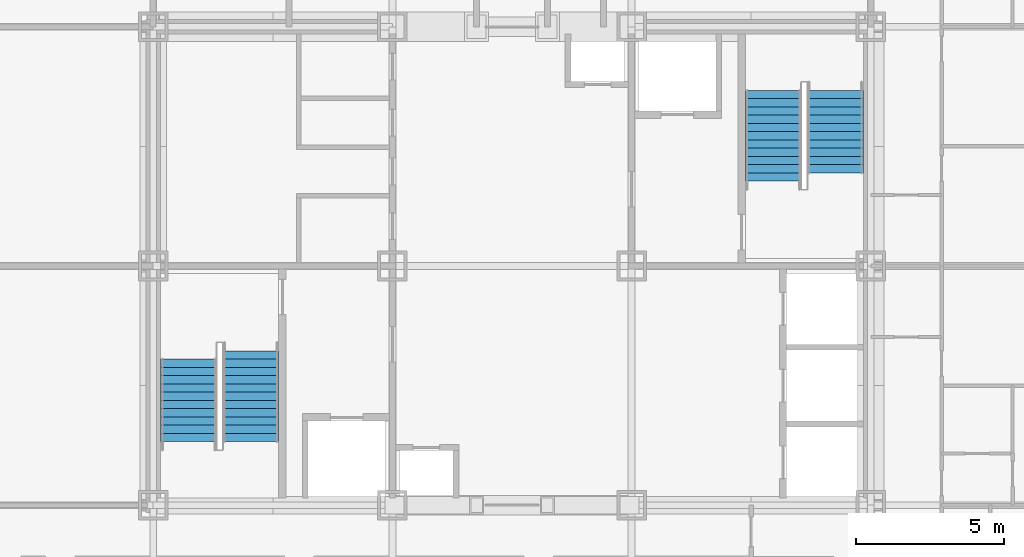
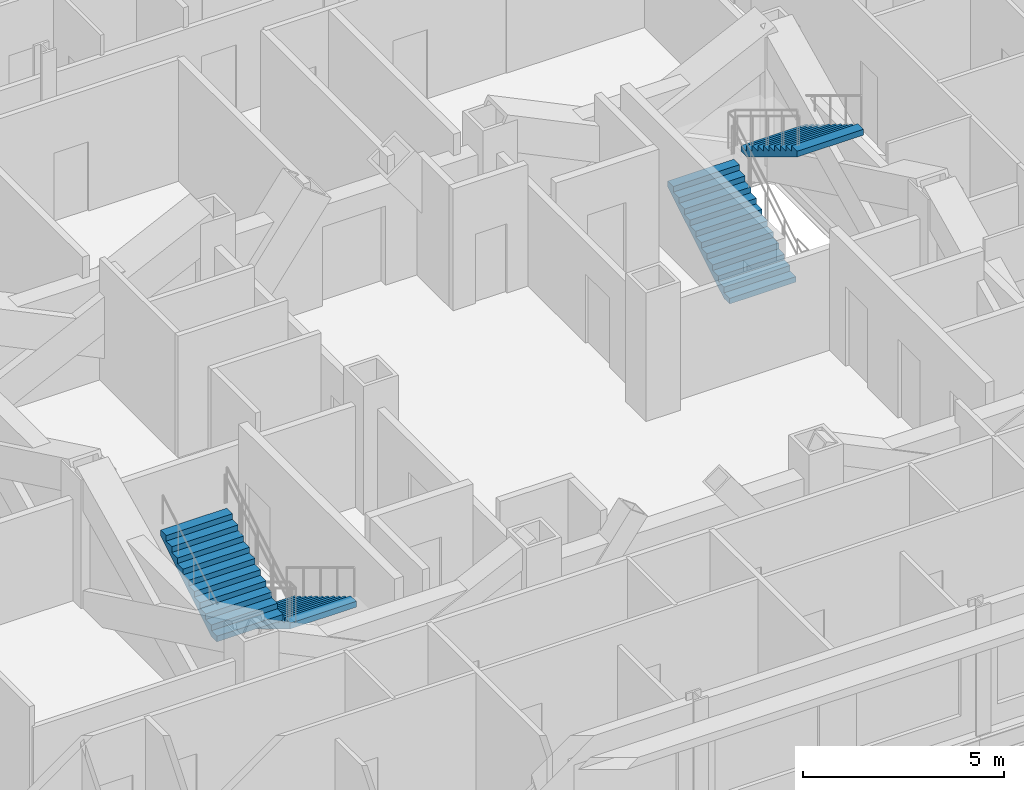
# One storey, part 15 of 16: 4 stair flights, 2 elements without a shape of their own.
"""IFC4 building model written with IfcOpenShell, lengths in metres."""

import ifcopenshell
import ifcopenshell.guid

model = None  # the IFC model being written
_history = None  # IfcOwnerHistory: only IFC2X3 demands one
_inside = {}  # id of a spatial element -> (the spatial element, [elements in it])
_under = {}  # id of a project, library or spatial element -> (it, [spatial elements below it])
_declared = {}  # id of a project -> (the project, [libraries it declares])
_typed = {}  # id of a type object -> (the type object, [elements of that type])
_made_of = {}  # id of a material, layer set ... -> (it, [elements and type objects made of it])


def new_model(schema):
    """Start an empty IFC model of exactly this schema.

    Asked for "IFC4X3", IfcOpenShell would pick the latest addendum, in which some entities
    have other attributes; the version numbers below select the first issue.
    IFC2X3 requires an IfcOwnerHistory on every rooted entity: one is made here for all.
    """
    global model, _history
    if schema == "IFC4X3":
        model = ifcopenshell.file(schema_version=(4, 3, 0, 0))
    else:
        model = ifcopenshell.file(schema=schema)
    _inside.clear()
    _under.clear()
    _declared.clear()
    _typed.clear()
    _made_of.clear()
    _history = None
    if model.schema == "IFC2X3":
        org = make("IfcOrganization", Name="unknown")
        user = make(
            "IfcPersonAndOrganization",
            ThePerson=make("IfcPerson", FamilyName="unknown"),
            TheOrganization=org,
        )
        app = make(
            "IfcApplication",
            ApplicationDeveloper=org,
            Version="unknown",
            ApplicationFullName="unknown",
            ApplicationIdentifier="unknown",
        )
        _history = make(
            "IfcOwnerHistory",
            OwningUser=user,
            OwningApplication=app,
            ChangeAction="ADDED",
            CreationDate=0,
        )
    return model


def make(cls, **values):
    """One entity of the class cls with the attributes given. An attribute that is None is left unset."""
    return model.create_entity(
        cls, **{name: value for name, value in values.items() if value is not None}
    )


def rooted(cls, **values):
    """An entity with a GlobalId (a new one), such as an element, a storey or a relation."""
    return make(cls, GlobalId=ifcopenshell.guid.new(), OwnerHistory=_history, **values)


def si_unit(unit_type, name, prefix=None):
    """IfcSIUnit, for example si_unit("LENGTHUNIT", "METRE", prefix="MILLI")."""
    return make("IfcSIUnit", UnitType=unit_type, Prefix=prefix, Name=name)


def assignment(units):
    """IfcUnitAssignment: the units of a project."""
    return None if units is None else make("IfcUnitAssignment", Units=units)


def point(xyz):
    """IfcCartesianPoint."""
    return None if xyz is None else make("IfcCartesianPoint", Coordinates=xyz)


def direction(xyz):
    """IfcDirection."""
    return None if xyz is None else make("IfcDirection", DirectionRatios=xyz)


def frame(location, z_axis=None, x_axis=None):
    """IfcAxis2Placement3D, a coordinate frame: its origin and axes. An axis left out is left unset."""
    return make(
        "IfcAxis2Placement3D",
        Location=point(location),
        Axis=direction(z_axis),
        RefDirection=direction(x_axis),
    )


def origin():
    """The frame at (0, 0, 0) with its axes left unset."""
    return frame((0.0, 0.0, 0.0))


def place(relative_to, where):
    """IfcLocalPlacement: puts the frame where relative to a parent placement (None: the world)."""
    return make(
        "IfcLocalPlacement", PlacementRelTo=relative_to, RelativePlacement=where
    )


def context(
    kind, dimensions, precision=None, world=None, true_north=None, identifier=None
):
    """IfcGeometricRepresentationContext, for example the 3D "Model" context."""
    return make(
        "IfcGeometricRepresentationContext",
        ContextIdentifier=identifier,
        ContextType=kind,
        CoordinateSpaceDimension=dimensions,
        Precision=precision,
        WorldCoordinateSystem=world,
        TrueNorth=true_north,
    )


def subcontext(parent, identifier, kind, view, scale=None):
    """IfcGeometricRepresentationSubContext, for example "Body" below "Model"."""
    return make(
        "IfcGeometricRepresentationSubContext",
        ContextIdentifier=identifier,
        ContextType=kind,
        ParentContext=parent,
        TargetScale=scale,
        TargetView=view,
    )


def project(units=None, contexts=None):
    """IfcProject with its units and contexts."""
    return rooted(
        "IfcProject",
        Name="project",
        RepresentationContexts=contexts,
        UnitsInContext=assignment(units),
    )


def spatial(cls, under=None, at=None, **own):
    """A site, building, storey or space (cls), placed at a placement, below another one or the project."""
    s = rooted(cls, ObjectPlacement=at, **own)
    if under is not None:
        _under.setdefault(under.id(), (under, []))[1].append(s)
    return s


def point_list(points):
    """IfcCartesianPointList2D or 3D."""
    cls = (
        "IfcCartesianPointList2D" if len(points[0]) == 2 else "IfcCartesianPointList3D"
    )
    return make(cls, CoordList=points)


def polygons(points, faces, closed=None, point_numbers=None):
    """IfcPolygonalFaceSet: a face is its outer loop, then its inner loops; points numbered from 1."""
    made = []
    for loops in faces:
        if len(loops) == 1:
            made.append(make("IfcIndexedPolygonalFace", CoordIndex=loops[0]))
        else:
            made.append(
                make(
                    "IfcIndexedPolygonalFaceWithVoids",
                    CoordIndex=loops[0],
                    InnerCoordIndices=loops[1:],
                )
            )
    return make(
        "IfcPolygonalFaceSet",
        Coordinates=point_list(points),
        Closed=closed,
        Faces=made,
        PnIndex=point_numbers,
    )


def shape(context_of_items, identifier, shape_type, items):
    """IfcShapeRepresentation: the items that make up one representation, for example the "Body"."""
    return make(
        "IfcShapeRepresentation",
        ContextOfItems=context_of_items,
        RepresentationIdentifier=identifier,
        RepresentationType=shape_type,
        Items=items,
    )


def source(mapping_origin, context_of_items, identifier, shape_type, items):
    """IfcRepresentationMap: a shape defined once, which mapped items show again and again."""
    return make(
        "IfcRepresentationMap",
        MappingOrigin=mapping_origin,
        MappedRepresentation=shape(context_of_items, identifier, shape_type, items),
    )


def transform(
    local_origin,
    x_axis=None,
    y_axis=None,
    z_axis=None,
    scale=None,
    scale2=None,
    scale3=None,
    uniform=True,
):
    """IfcCartesianTransformationOperator3D, or its non-uniform kind. x_axis, y_axis, z_axis: its Axis1, 2, 3."""
    if uniform:
        return make(
            "IfcCartesianTransformationOperator3D",
            Axis1=direction(x_axis),
            Axis2=direction(y_axis),
            LocalOrigin=point(local_origin),
            Scale=scale,
            Axis3=direction(z_axis),
        )
    return make(
        "IfcCartesianTransformationOperator3DnonUniform",
        Axis1=direction(x_axis),
        Axis2=direction(y_axis),
        LocalOrigin=point(local_origin),
        Scale=scale,
        Axis3=direction(z_axis),
        Scale2=scale2,
        Scale3=scale3,
    )


def mapped(mapping_source, mapping_target):
    """IfcMappedItem: shows the shape of a source again, moved by a transform."""
    return make(
        "IfcMappedItem", MappingSource=mapping_source, MappingTarget=mapping_target
    )


def material(Name=None, Category=None):
    """IfcMaterial."""
    return make("IfcMaterial", Name=Name, Category=Category)


def made_of(thing, what):
    """Note that an element or type object is made of a material, layer set ...; save() writes the relation."""
    if what is not None:
        _made_of.setdefault(what.id(), (what, []))[1].append(thing)
    return thing


def type_object(cls, material=None, **own):
    """A type object (cls), such as IfcWallType, which elements share."""
    return made_of(rooted(cls, **own), material)


def element(
    cls,
    number,
    at=None,
    inside=None,
    cuts=None,
    type_object=None,
    material=None,
    context=None,
    identifier="Body",
    shape_type=None,
    held_by="IfcProductDefinitionShape",
    body=None,
    shapes=None,
    **own,
):
    """One element of the class cls, such as IfcWall. Its Tag is "e" and its number.

    at: its placement. inside: the storey or other place that contains it. cuts: it is an
    opening in that element (IfcRelVoidsElement). A single representation is given by context,
    identifier, shape_type and body (its items); several are given by shapes. held_by: the class
    of the entity that holds the representations. save() writes the other relations.
    """
    e = rooted(cls, Tag="e%d" % number, ObjectPlacement=at, **own)
    if body is not None:
        shapes = [shape(context, identifier, shape_type, body)]
    if shapes is not None:
        e.Representation = make(held_by, Representations=shapes)
    if inside is not None:
        _inside.setdefault(inside.id(), (inside, []))[1].append(e)
    if cuts is not None:
        rooted(
            "IfcRelVoidsElement", RelatingBuildingElement=cuts, RelatedOpeningElement=e
        )
    if type_object is not None:
        _typed.setdefault(type_object.id(), (type_object, []))[1].append(e)
    return made_of(e, material)


def aggregate(whole, parts):
    """IfcRelAggregates: a whole, such as a stair, and the parts it consists of."""
    return rooted("IfcRelAggregates", RelatingObject=whole, RelatedObjects=parts)


def save(model, path):
    """Write the relations noted so far, then the file.

    IfcRelAggregates (storeys below a building ...), IfcRelContainedInSpatialStructure (elements
    in a storey), IfcRelDefinesByType, IfcRelAssociatesMaterial and IfcRelDeclares: one each for
    every whole, place, type object, material and project.
    """
    for whole, parts in _under.values():
        aggregate(whole, parts)
    for where, things in _inside.values():
        rooted(
            "IfcRelContainedInSpatialStructure",
            RelatedElements=things,
            RelatingStructure=where,
        )
    for kind, things in _typed.values():
        rooted("IfcRelDefinesByType", RelatedObjects=things, RelatingType=kind)
    for what, things in _made_of.values():
        rooted("IfcRelAssociatesMaterial", RelatedObjects=things, RelatingMaterial=what)
    for by, libraries in _declared.values():
        rooted("IfcRelDeclares", RelatingContext=by, RelatedDefinitions=libraries)
    model.write(path)


model = new_model("IFC4")

# Units and contexts
model_context = context("Model", 3, precision=1e-05, world=origin(), true_north=direction((0.0, 1.0)))
body_context = subcontext(model_context, "Body", "Model", "MODEL_VIEW")
ifc_project = project(units=[si_unit("LENGTHUNIT", "METRE"), si_unit("AREAUNIT", "SQUARE_METRE"), si_unit("VOLUMEUNIT", "CUBIC_METRE"), si_unit("PLANEANGLEUNIT", "RADIAN"), si_unit("MASSUNIT", "GRAM", prefix="KILO")], contexts=[model_context])

# Site, building, storey
site_placement = place(None, origin())
site = spatial("IfcSite", under=ifc_project, at=site_placement, CompositionType="ELEMENT")
building_placement = place(site_placement, origin())
building = spatial("IfcBuilding", under=site, at=building_placement, Name="Kopane Lantern Tower", CompositionType="ELEMENT")
storey_placement = place(building_placement, frame((0.0, 0.0, 265.800048828125)))
storey = spatial("IfcBuildingStorey", under=building, at=storey_placement, Name="L68", CompositionType="ELEMENT", Elevation=265.800048828125)

# Stair, stair flight
ifc_material_1 = material(Name="Steel S355JR", Category="steel")
stair_type = type_object("IfcStairType", Name="EXIT STAIR 1900 HALF TURN", PredefinedType="HALF_TURN_STAIR", material=ifc_material_1)
stair_1_placement = place(storey_placement, origin())
stair_1 = element("IfcStair", 1, at=stair_1_placement, inside=storey, type_object=stair_type, Name="Exit stair ST1 L68", PredefinedType="HALF_TURN_STAIR")
ifc_material_2 = material(Name="Steel S355JR", Category="steel")
stair_flight_type = type_object("IfcStairFlightType", Name="STAIR FLIGHT 1900 STEEL", PredefinedType="STRAIGHT", material=ifc_material_2)
shared_shape_1 = source(origin(), body_context, "Body", "Tessellation", [
    polygons([(3.080078125, 0.949951172, 1.865234375), (2.800048828, 0.949951172, 1.865234375), (2.800048828, -0.949951172, 1.865234375), (3.080078125, -0.949951172, 1.865234375), (0.289306641, 0.949951172, 0.0), (3.080078125, 0.949951172, 1.689941406), (3.080078125, -0.949951172, 1.689941406), (0.289306641, -0.949951172, 0.0), (0.0, 0.949951172, 0.0), (0.0, -0.949951172, 0.0), (0.280029297, 0.949951172, 0.169677734), (0.0, 0.949951172, 0.169677734), (0.0, -0.949951172, 0.169677734), (0.280029297, -0.949951172, 0.169677734), (0.280029297, 0.949951172, 0.339111328), (0.280029297, -0.949951172, 0.339111328), (0.560058594, 0.949951172, 0.339111328), (0.560058594, -0.949951172, 0.339111328), (0.560058594, 0.949951172, 0.508789062), (0.560058594, -0.949951172, 0.508789062), (0.840087891, 0.949951172, 0.508789062), (0.840087891, -0.949951172, 0.508789062), (0.840087891, 0.949951172, 0.678222656), (0.840087891, -0.949951172, 0.678222656), (1.120117188, 0.949951172, 0.678222656), (1.120117188, -0.949951172, 0.678222656), (1.120117188, 0.949951172, 0.847900391), (1.120117188, -0.949951172, 0.847900391), (1.399902344, 0.949951172, 0.847900391), (1.399902344, -0.949951172, 0.847900391), (1.399902344, 0.949951172, 1.017333984), (1.399902344, -0.949951172, 1.017333984), (1.679931641, 0.949951172, 1.017333984), (1.679931641, -0.949951172, 1.017333984), (1.679931641, 0.949951172, 1.187011719), (1.679931641, -0.949951172, 1.187011719), (1.959960938, 0.949951172, 1.187011719), (1.959960938, -0.949951172, 1.187011719), (1.959960938, 0.949951172, 1.356445312), (1.959960938, -0.949951172, 1.356445312), (2.239990234, 0.949951172, 1.356445312), (2.239990234, -0.949951172, 1.356445312), (2.239990234, 0.949951172, 1.526123047), (2.239990234, -0.949951172, 1.526123047), (2.520019531, 0.949951172, 1.526123047), (2.520019531, -0.949951172, 1.526123047), (2.520019531, 0.949951172, 1.695556641), (2.520019531, -0.949951172, 1.695556641), (2.800048828, 0.949951172, 1.695556641), (2.800048828, -0.949951172, 1.695556641), (0.0, 0.0, 0.004585885), (0.0, 0.0, 0.009171769), (0.0, 0.0, 0.013757654), (0.0, 0.0, 0.018343539), (0.0, 0.0, 0.022929424), (0.0, 0.0, 0.027515308), (0.0, 0.0, 0.032101193), (0.0, 0.0, 0.036687078), (0.0, 0.0, 0.041272962), (0.0, 0.0, 0.045858847), (0.0, 0.0, 0.050444732), (0.0, 0.0, 0.055030617), (0.0, 0.0, 0.059616501), (0.0, 0.0, 0.064202386), (0.0, 0.0, 0.068788271), (0.0, 0.0, 0.073374155), (0.0, 0.0, 0.07796004), (0.0, 0.0, 0.082545925), (0.0, 0.0, 0.08713181), (0.0, 0.0, 0.091717694), (0.0, 0.0, 0.096303579), (0.0, 0.0, 0.100889464), (0.0, 0.0, 0.105475348), (0.0, 0.0, 0.110061233), (0.0, 0.0, 0.114647118), (0.0, 0.0, 0.119233003), (0.0, 0.0, 0.123818887), (0.0, 0.0, 0.128404772), (0.0, 0.0, 0.132990657), (0.0, 0.0, 0.137576541), (0.0, 0.0, 0.142162426), (0.0, 0.0, 0.146748311), (0.0, 0.0, 0.151334196), (0.0, 0.0, 0.15592008), (0.0, 0.0, 0.160505965), (0.0, 0.0, 0.16509185), (3.080078125, 0.0, 1.694679054), (3.080078125, 0.0, 1.699416702), (3.080078125, 0.0, 1.70415435), (3.080078125, 0.0, 1.708891997), (3.080078125, 0.0, 1.713629645), (3.080078125, 0.0, 1.718367293), (3.080078125, 0.0, 1.723104941), (3.080078125, 0.0, 1.727842589), (3.080078125, 0.0, 1.732580236), (3.080078125, 0.0, 1.737317884), (3.080078125, 0.0, 1.742055532), (3.080078125, 0.0, 1.74679318), (3.080078125, 0.0, 1.751530828), (3.080078125, 0.0, 1.756268476), (3.080078125, 0.0, 1.761006123), (3.080078125, 0.0, 1.765743771), (3.080078125, 0.0, 1.770481419), (3.080078125, 0.0, 1.775219067), (3.080078125, 0.0, 1.779956715), (3.080078125, 0.0, 1.784694362), (3.080078125, 0.0, 1.78943201), (3.080078125, 0.0, 1.794169658), (3.080078125, 0.0, 1.798907306), (3.080078125, 0.0, 1.803644954), (3.080078125, 0.0, 1.808382601), (3.080078125, 0.0, 1.813120249), (3.080078125, 0.0, 1.817857897), (3.080078125, 0.0, 1.822595545), (3.080078125, 0.0, 1.827333193), (3.080078125, 0.0, 1.83207084), (3.080078125, 0.0, 1.836808488), (3.080078125, 0.0, 1.841546136), (3.080078125, 0.0, 1.846283784), (3.080078125, 0.0, 1.851021432), (3.080078125, 0.0, 1.855759079), (3.080078125, 0.0, 1.860496727)], [[[1, 2, 3]], [[1, 3, 4]], [[5, 6, 7]], [[5, 7, 8]], [[9, 5, 8]], [[9, 8, 10]], [[11, 12, 13]], [[11, 13, 14]], [[15, 11, 14]], [[15, 14, 16]], [[17, 15, 16]], [[17, 16, 18]], [[19, 17, 18]], [[19, 18, 20]], [[21, 19, 20]], [[21, 20, 22]], [[23, 21, 22]], [[23, 22, 24]], [[25, 23, 24]], [[25, 24, 26]], [[27, 25, 26]], [[27, 26, 28]], [[29, 27, 28]], [[29, 28, 30]], [[31, 29, 30]], [[31, 30, 32]], [[33, 31, 32]], [[33, 32, 34]], [[35, 33, 34]], [[35, 34, 36]], [[37, 35, 36]], [[37, 36, 38]], [[39, 37, 38]], [[39, 38, 40]], [[41, 39, 40]], [[41, 40, 42]], [[43, 41, 42]], [[43, 42, 44]], [[45, 43, 44]], [[45, 44, 46]], [[47, 45, 46]], [[47, 46, 48]], [[49, 47, 48]], [[49, 48, 50]], [[2, 49, 50]], [[2, 50, 3]], [[49, 1, 6]], [[45, 49, 6]], [[2, 1, 49]], [[41, 45, 6]], [[47, 49, 45]], [[37, 41, 6]], [[43, 45, 41]], [[39, 41, 37]], [[35, 37, 33]], [[31, 33, 29]], [[5, 21, 25]], [[27, 29, 25]], [[17, 21, 5]], [[23, 25, 21]], [[11, 17, 5]], [[19, 21, 17]], [[9, 11, 5]], [[15, 17, 11]], [[12, 11, 9]], [[6, 5, 25]], [[6, 25, 29]], [[6, 29, 33]], [[6, 33, 37]], [[7, 4, 50]], [[7, 50, 46]], [[50, 4, 3]], [[7, 46, 42]], [[46, 50, 48]], [[7, 42, 38]], [[42, 46, 44]], [[38, 42, 40]], [[34, 38, 36]], [[30, 34, 32]], [[26, 22, 8]], [[26, 30, 28]], [[8, 22, 18]], [[22, 26, 24]], [[8, 18, 14]], [[18, 22, 20]], [[8, 14, 10]], [[14, 18, 16]], [[10, 14, 13]], [[26, 8, 7]], [[30, 26, 7]], [[34, 30, 7]], [[38, 34, 7]], [[10, 51, 9]], [[10, 52, 51]], [[9, 51, 52]], [[10, 53, 52]], [[9, 52, 53]], [[10, 54, 53]], [[9, 53, 54]], [[10, 55, 54]], [[9, 54, 55]], [[10, 56, 55]], [[9, 55, 56]], [[10, 57, 56]], [[9, 56, 57]], [[10, 58, 57]], [[9, 57, 58]], [[10, 59, 58]], [[9, 58, 59]], [[10, 60, 59]], [[9, 59, 60]], [[10, 61, 60]], [[9, 60, 61]], [[10, 62, 61]], [[9, 61, 62]], [[10, 63, 62]], [[9, 62, 63]], [[10, 64, 63]], [[9, 63, 64]], [[10, 65, 64]], [[9, 64, 65]], [[10, 66, 65]], [[9, 65, 66]], [[10, 67, 66]], [[9, 66, 67]], [[10, 68, 67]], [[9, 67, 68]], [[10, 69, 68]], [[9, 68, 69]], [[10, 70, 69]], [[9, 69, 70]], [[10, 71, 70]], [[9, 70, 71]], [[10, 72, 71]], [[9, 71, 72]], [[10, 73, 72]], [[9, 72, 73]], [[10, 74, 73]], [[9, 73, 74]], [[10, 75, 74]], [[9, 74, 75]], [[10, 76, 75]], [[9, 75, 76]], [[10, 77, 76]], [[9, 76, 77]], [[10, 78, 77]], [[9, 77, 78]], [[10, 79, 78]], [[9, 78, 79]], [[10, 80, 79]], [[9, 79, 80]], [[10, 81, 80]], [[9, 80, 81]], [[10, 82, 81]], [[9, 81, 82]], [[10, 83, 82]], [[9, 82, 83]], [[10, 84, 83]], [[9, 83, 84]], [[10, 85, 84]], [[9, 84, 85]], [[10, 86, 85]], [[9, 85, 86]], [[10, 13, 86]], [[86, 13, 12]], [[9, 86, 12]], [[7, 6, 87]], [[7, 87, 88]], [[6, 88, 87]], [[7, 88, 89]], [[6, 89, 88]], [[7, 89, 90]], [[6, 90, 89]], [[7, 90, 91]], [[6, 91, 90]], [[7, 91, 92]], [[6, 92, 91]], [[7, 92, 93]], [[6, 93, 92]], [[7, 93, 94]], [[6, 94, 93]], [[7, 94, 95]], [[6, 95, 94]], [[7, 95, 96]], [[6, 96, 95]], [[7, 96, 97]], [[6, 97, 96]], [[7, 97, 98]], [[6, 98, 97]], [[7, 98, 99]], [[6, 99, 98]], [[7, 99, 100]], [[6, 100, 99]], [[7, 100, 101]], [[6, 101, 100]], [[7, 101, 102]], [[6, 102, 101]], [[7, 102, 103]], [[6, 103, 102]], [[7, 103, 104]], [[6, 104, 103]], [[7, 104, 105]], [[6, 105, 104]], [[7, 105, 106]], [[6, 106, 105]], [[7, 106, 107]], [[6, 107, 106]], [[7, 107, 108]], [[6, 108, 107]], [[7, 108, 109]], [[6, 109, 108]], [[7, 109, 110]], [[6, 110, 109]], [[7, 110, 111]], [[6, 111, 110]], [[7, 111, 112]], [[6, 112, 111]], [[7, 112, 113]], [[6, 113, 112]], [[7, 113, 114]], [[6, 114, 113]], [[7, 114, 115]], [[6, 115, 114]], [[7, 115, 116]], [[6, 116, 115]], [[7, 116, 117]], [[6, 117, 116]], [[7, 117, 118]], [[6, 118, 117]], [[7, 118, 119]], [[6, 119, 118]], [[7, 119, 120]], [[6, 120, 119]], [[7, 120, 121]], [[6, 121, 120]], [[7, 121, 122]], [[6, 122, 121]], [[7, 122, 4]], [[122, 1, 4]], [[6, 1, 122]]], closed=True),
])
stair_flight_1_placement = place(storey_placement, frame((19.5, 29.530029296875, 0.0), z_axis=(0.0, 0.0, 1.0), x_axis=(0.0, -1.0, 0.0)))
stair_flight_1 = element("IfcStairFlight", 2, at=stair_flight_1_placement, type_object=stair_flight_type, Name="ST1 flight 1", NumberOfRisers=12, NumberOfTreads=11, PredefinedType="STRAIGHT", RiserHeight=0.169565217, TreadLength=0.28, context=body_context, shape_type="MappedRepresentation", body=[
    mapped(shared_shape_1, transform((0.0, 0.0, 0.0))),
])

stair_2_placement = place(storey_placement, origin())
stair_2 = element("IfcStair", 3, at=stair_2_placement, inside=storey, type_object=stair_type, Name="Exit stair ST2 L68", PredefinedType="HALF_TURN_STAIR")
stair_flight_2_placement = place(storey_placement, frame((37.199951171875, 35.27001953125, 0.0), z_axis=(0.0, 0.0, 1.0), x_axis=(0.0, 1.0, 0.0)))
stair_flight_2 = element("IfcStairFlight", 4, at=stair_flight_2_placement, type_object=stair_flight_type, Name="ST2 flight 1", NumberOfRisers=12, NumberOfTreads=11, PredefinedType="STRAIGHT", RiserHeight=0.169565217, TreadLength=0.28, context=body_context, shape_type="MappedRepresentation", body=[
    mapped(shared_shape_1, transform((0.0, 0.0, 0.0))),
])

# Stair flight
shared_shape_2 = source(origin(), body_context, "Body", "Tessellation", [
    polygons([(2.800048828, 0.949951172, 1.695556641), (2.520019531, 0.949951172, 1.695556641), (2.520019531, -0.949951172, 1.695556641), (2.800048828, -0.949951172, 1.695556641), (0.289306641, 0.949951172, 0.0), (2.800048828, 0.949951172, 1.520507812), (2.800048828, -0.949951172, 1.520507812), (0.289306641, -0.949951172, 0.0), (0.0, 0.949951172, 0.0), (0.0, -0.949951172, 0.0), (0.280029297, 0.949951172, 0.169677734), (0.0, 0.949951172, 0.169677734), (0.0, -0.949951172, 0.169677734), (0.280029297, -0.949951172, 0.169677734), (0.280029297, 0.949951172, 0.339111328), (0.280029297, -0.949951172, 0.339111328), (0.560058594, 0.949951172, 0.339111328), (0.560058594, -0.949951172, 0.339111328), (0.560058594, 0.949951172, 0.508789062), (0.560058594, -0.949951172, 0.508789062), (0.840087891, 0.949951172, 0.508789062), (0.840087891, -0.949951172, 0.508789062), (0.840087891, 0.949951172, 0.678222656), (0.840087891, -0.949951172, 0.678222656), (1.120117188, 0.949951172, 0.678222656), (1.120117188, -0.949951172, 0.678222656), (1.120117188, 0.949951172, 0.847900391), (1.120117188, -0.949951172, 0.847900391), (1.399902344, 0.949951172, 0.847900391), (1.399902344, -0.949951172, 0.847900391), (1.399902344, 0.949951172, 1.017333984), (1.399902344, -0.949951172, 1.017333984), (1.679931641, 0.949951172, 1.017333984), (1.679931641, -0.949951172, 1.017333984), (1.679931641, 0.949951172, 1.187011719), (1.679931641, -0.949951172, 1.187011719), (1.959960938, 0.949951172, 1.187011719), (1.959960938, -0.949951172, 1.187011719), (1.959960938, 0.949951172, 1.356445312), (1.959960938, -0.949951172, 1.356445312), (2.239990234, 0.949951172, 1.356445312), (2.239990234, -0.949951172, 1.356445312), (2.239990234, 0.949951172, 1.526123047), (2.239990234, -0.949951172, 1.526123047), (2.520019531, 0.949951172, 1.526123047), (2.520019531, -0.949951172, 1.526123047), (0.0, 0.0, 0.004585885), (0.0, 0.0, 0.009171769), (0.0, 0.0, 0.013757654), (0.0, 0.0, 0.018343539), (0.0, 0.0, 0.022929424), (0.0, 0.0, 0.027515308), (0.0, 0.0, 0.032101193), (0.0, 0.0, 0.036687078), (0.0, 0.0, 0.041272962), (0.0, 0.0, 0.045858847), (0.0, 0.0, 0.050444732), (0.0, 0.0, 0.055030617), (0.0, 0.0, 0.059616501), (0.0, 0.0, 0.064202386), (0.0, 0.0, 0.068788271), (0.0, 0.0, 0.073374155), (0.0, 0.0, 0.07796004), (0.0, 0.0, 0.082545925), (0.0, 0.0, 0.08713181), (0.0, 0.0, 0.091717694), (0.0, 0.0, 0.096303579), (0.0, 0.0, 0.100889464), (0.0, 0.0, 0.105475348), (0.0, 0.0, 0.110061233), (0.0, 0.0, 0.114647118), (0.0, 0.0, 0.119233003), (0.0, 0.0, 0.123818887), (0.0, 0.0, 0.128404772), (0.0, 0.0, 0.132990657), (0.0, 0.0, 0.137576541), (0.0, 0.0, 0.142162426), (0.0, 0.0, 0.146748311), (0.0, 0.0, 0.151334196), (0.0, 0.0, 0.15592008), (0.0, 0.0, 0.160505965), (0.0, 0.0, 0.16509185), (2.800048828, 0.0, 1.525238862), (2.800048828, 0.0, 1.529969911), (2.800048828, 0.0, 1.534700961), (2.800048828, 0.0, 1.53943201), (2.800048828, 0.0, 1.54416306), (2.800048828, 0.0, 1.548894109), (2.800048828, 0.0, 1.553625158), (2.800048828, 0.0, 1.558356208), (2.800048828, 0.0, 1.563087257), (2.800048828, 0.0, 1.567818307), (2.800048828, 0.0, 1.572549356), (2.800048828, 0.0, 1.577280405), (2.800048828, 0.0, 1.582011455), (2.800048828, 0.0, 1.586742504), (2.800048828, 0.0, 1.591473554), (2.800048828, 0.0, 1.596204603), (2.800048828, 0.0, 1.600935652), (2.800048828, 0.0, 1.605666702), (2.800048828, 0.0, 1.610397751), (2.800048828, 0.0, 1.615128801), (2.800048828, 0.0, 1.61985985), (2.800048828, 0.0, 1.624590899), (2.800048828, 0.0, 1.629321949), (2.800048828, 0.0, 1.634052998), (2.800048828, 0.0, 1.638784048), (2.800048828, 0.0, 1.643515097), (2.800048828, 0.0, 1.648246147), (2.800048828, 0.0, 1.652977196), (2.800048828, 0.0, 1.657708245), (2.800048828, 0.0, 1.662439295), (2.800048828, 0.0, 1.667170344), (2.800048828, 0.0, 1.671901394), (2.800048828, 0.0, 1.676632443), (2.800048828, 0.0, 1.681363492), (2.800048828, 0.0, 1.686094542), (2.800048828, 0.0, 1.690825591)], [[[1, 2, 3]], [[1, 3, 4]], [[5, 6, 7]], [[5, 7, 8]], [[9, 5, 8]], [[9, 8, 10]], [[11, 12, 13]], [[11, 13, 14]], [[15, 11, 14]], [[15, 14, 16]], [[17, 15, 16]], [[17, 16, 18]], [[19, 17, 18]], [[19, 18, 20]], [[21, 19, 20]], [[21, 20, 22]], [[23, 21, 22]], [[23, 22, 24]], [[25, 23, 24]], [[25, 24, 26]], [[27, 25, 26]], [[27, 26, 28]], [[29, 27, 28]], [[29, 28, 30]], [[31, 29, 30]], [[31, 30, 32]], [[33, 31, 32]], [[33, 32, 34]], [[35, 33, 34]], [[35, 34, 36]], [[37, 35, 36]], [[37, 36, 38]], [[39, 37, 38]], [[39, 38, 40]], [[41, 39, 40]], [[41, 40, 42]], [[43, 41, 42]], [[43, 42, 44]], [[45, 43, 44]], [[45, 44, 46]], [[2, 45, 46]], [[2, 46, 3]], [[45, 1, 6]], [[41, 45, 6]], [[2, 1, 45]], [[37, 41, 6]], [[43, 45, 41]], [[39, 41, 37]], [[35, 37, 33]], [[31, 33, 29]], [[5, 21, 25]], [[27, 29, 25]], [[17, 21, 5]], [[23, 25, 21]], [[11, 17, 5]], [[19, 21, 17]], [[9, 11, 5]], [[15, 17, 11]], [[12, 11, 9]], [[6, 5, 25]], [[6, 25, 29]], [[6, 29, 33]], [[6, 33, 37]], [[7, 4, 46]], [[7, 46, 42]], [[46, 4, 3]], [[7, 42, 38]], [[42, 46, 44]], [[38, 42, 40]], [[34, 38, 36]], [[30, 34, 32]], [[26, 22, 8]], [[26, 30, 28]], [[8, 22, 18]], [[22, 26, 24]], [[8, 18, 14]], [[18, 22, 20]], [[8, 14, 10]], [[14, 18, 16]], [[10, 14, 13]], [[26, 8, 7]], [[30, 26, 7]], [[34, 30, 7]], [[38, 34, 7]], [[10, 47, 9]], [[10, 48, 47]], [[9, 47, 48]], [[10, 49, 48]], [[9, 48, 49]], [[10, 50, 49]], [[9, 49, 50]], [[10, 51, 50]], [[9, 50, 51]], [[10, 52, 51]], [[9, 51, 52]], [[10, 53, 52]], [[9, 52, 53]], [[10, 54, 53]], [[9, 53, 54]], [[10, 55, 54]], [[9, 54, 55]], [[10, 56, 55]], [[9, 55, 56]], [[10, 57, 56]], [[9, 56, 57]], [[10, 58, 57]], [[9, 57, 58]], [[10, 59, 58]], [[9, 58, 59]], [[10, 60, 59]], [[9, 59, 60]], [[10, 61, 60]], [[9, 60, 61]], [[10, 62, 61]], [[9, 61, 62]], [[10, 63, 62]], [[9, 62, 63]], [[10, 64, 63]], [[9, 63, 64]], [[10, 65, 64]], [[9, 64, 65]], [[10, 66, 65]], [[9, 65, 66]], [[10, 67, 66]], [[9, 66, 67]], [[10, 68, 67]], [[9, 67, 68]], [[10, 69, 68]], [[9, 68, 69]], [[10, 70, 69]], [[9, 69, 70]], [[10, 71, 70]], [[9, 70, 71]], [[10, 72, 71]], [[9, 71, 72]], [[10, 73, 72]], [[9, 72, 73]], [[10, 74, 73]], [[9, 73, 74]], [[10, 75, 74]], [[9, 74, 75]], [[10, 76, 75]], [[9, 75, 76]], [[10, 77, 76]], [[9, 76, 77]], [[10, 78, 77]], [[9, 77, 78]], [[10, 79, 78]], [[9, 78, 79]], [[10, 80, 79]], [[9, 79, 80]], [[10, 81, 80]], [[9, 80, 81]], [[10, 82, 81]], [[9, 81, 82]], [[10, 13, 82]], [[82, 13, 12]], [[9, 82, 12]], [[7, 6, 83]], [[7, 83, 84]], [[6, 84, 83]], [[7, 84, 85]], [[6, 85, 84]], [[7, 85, 86]], [[6, 86, 85]], [[7, 86, 87]], [[6, 87, 86]], [[7, 87, 88]], [[6, 88, 87]], [[7, 88, 89]], [[6, 89, 88]], [[7, 89, 90]], [[6, 90, 89]], [[7, 90, 91]], [[6, 91, 90]], [[7, 91, 92]], [[6, 92, 91]], [[7, 92, 93]], [[6, 93, 92]], [[7, 93, 94]], [[6, 94, 93]], [[7, 94, 95]], [[6, 95, 94]], [[7, 95, 96]], [[6, 96, 95]], [[7, 96, 97]], [[6, 97, 96]], [[7, 97, 98]], [[6, 98, 97]], [[7, 98, 99]], [[6, 99, 98]], [[7, 99, 100]], [[6, 100, 99]], [[7, 100, 101]], [[6, 101, 100]], [[7, 101, 102]], [[6, 102, 101]], [[7, 102, 103]], [[6, 103, 102]], [[7, 103, 104]], [[6, 104, 103]], [[7, 104, 105]], [[6, 105, 104]], [[7, 105, 106]], [[6, 106, 105]], [[7, 106, 107]], [[6, 107, 106]], [[7, 107, 108]], [[6, 108, 107]], [[7, 108, 109]], [[6, 109, 108]], [[7, 109, 110]], [[6, 110, 109]], [[7, 110, 111]], [[6, 111, 110]], [[7, 111, 112]], [[6, 112, 111]], [[7, 112, 113]], [[6, 113, 112]], [[7, 113, 114]], [[6, 114, 113]], [[7, 114, 115]], [[6, 115, 114]], [[7, 115, 116]], [[6, 116, 115]], [[7, 116, 117]], [[6, 117, 116]], [[7, 117, 118]], [[6, 118, 117]], [[7, 118, 4]], [[118, 1, 4]], [[6, 1, 118]]], closed=True),
])
stair_flight_3_placement = place(storey_placement, frame((17.39990234375, 26.449951171875, 2.03466796875), z_axis=(0.0, 0.0, 1.0), x_axis=(0.0, 1.0, 0.0)))
stair_flight_3 = element("IfcStairFlight", 5, at=stair_flight_3_placement, type_object=stair_flight_type, Name="ST1 flight 2", NumberOfRisers=11, NumberOfTreads=10, PredefinedType="STRAIGHT", RiserHeight=0.169565217, TreadLength=0.28, context=body_context, shape_type="MappedRepresentation", body=[
    mapped(shared_shape_2, transform((0.0, 0.0, 0.0))),
])

aggregate(stair_1, [stair_flight_1, stair_flight_3])

stair_flight_4_placement = place(storey_placement, frame((39.300048828125, 38.35009765625, 2.03466796875), z_axis=(0.0, 0.0, 1.0), x_axis=(0.0, -1.0, 0.0)))
stair_flight_4 = element("IfcStairFlight", 6, at=stair_flight_4_placement, type_object=stair_flight_type, Name="ST2 flight 2", NumberOfRisers=11, NumberOfTreads=10, PredefinedType="STRAIGHT", RiserHeight=0.169565217, TreadLength=0.28, context=body_context, shape_type="MappedRepresentation", body=[
    mapped(shared_shape_2, transform((0.0, 0.0, 0.0))),
])

aggregate(stair_2, [stair_flight_2, stair_flight_4])

save(model, "model.ifc")
